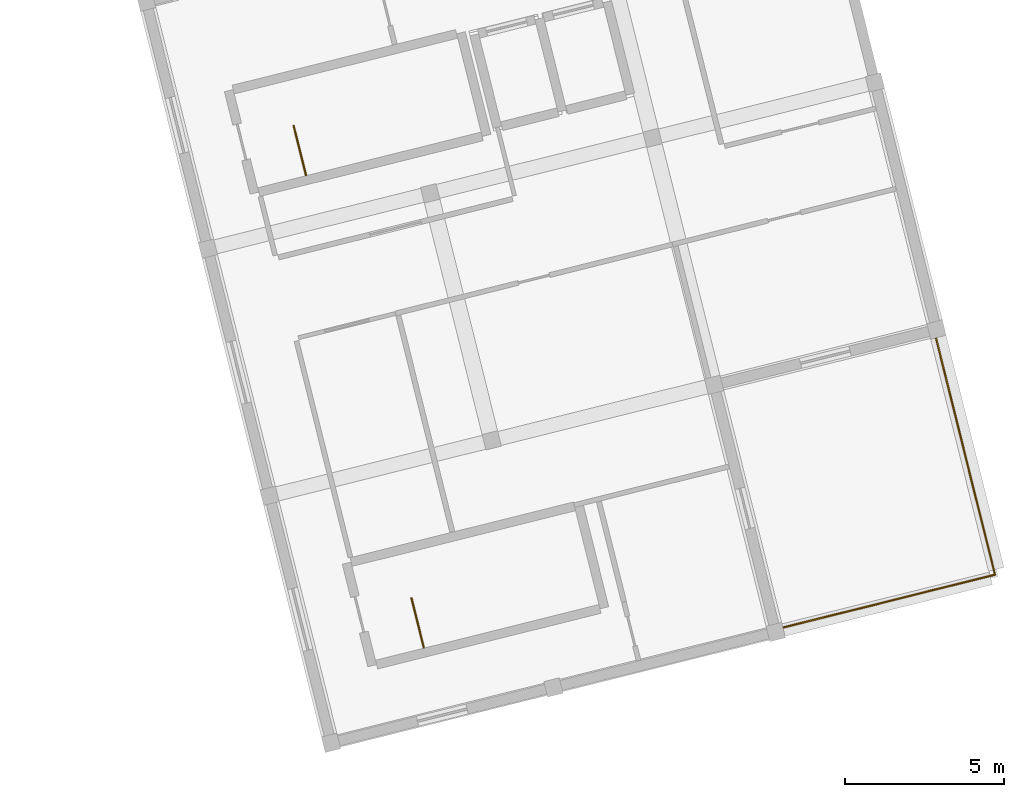
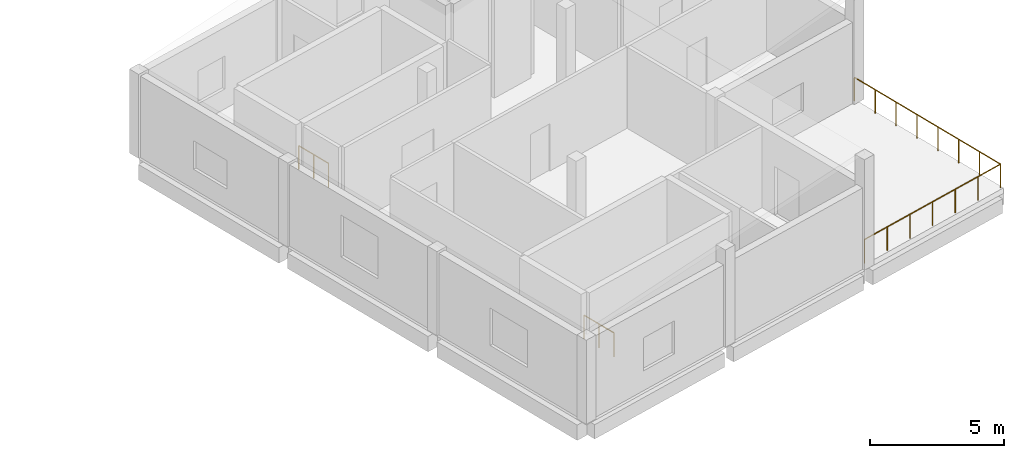
# One storey, part 4 of 4: 4 railings.
"""IFC4 building model written with IfcOpenShell, lengths in metres."""

from ifc_helpers import new_model, si_unit, direction, frame, origin, origin_2d, place, context, subcontext, project, spatial, circle, extrude, material, type_object, element, save


model = new_model("IFC4")

# Units and contexts
model_context = context("Model", 3, precision=1e-05, world=origin(), true_north=direction((0.0, 1.0)))
body_context = subcontext(model_context, "Body", "Model", "MODEL_VIEW")
ifc_project = project(units=[si_unit("LENGTHUNIT", "METRE"), si_unit("AREAUNIT", "SQUARE_METRE"), si_unit("VOLUMEUNIT", "CUBIC_METRE"), si_unit("PLANEANGLEUNIT", "RADIAN"), si_unit("MASSUNIT", "GRAM", prefix="KILO")], contexts=[model_context])

# Site, building, storey
site_placement = place(None, origin())
site = spatial("IfcSite", under=ifc_project, at=site_placement, CompositionType="ELEMENT")
building_placement = place(site_placement, origin())
building = spatial("IfcBuilding", under=site, at=building_placement, Name="Mawjan Specialist Oncology Clinic", CompositionType="ELEMENT")
storey_placement = place(building_placement, frame((0.0, 0.0, 25.5)))
storey = spatial("IfcBuildingStorey", under=building, at=storey_placement, Name="L06", CompositionType="ELEMENT", Elevation=25.5)

# Railings
ifc_material_1 = material(Name="Laminated glass and stainless-steel balustrade", Category="steel")
railing_type_1 = type_object("IfcRailingType", Name="BL-110", PredefinedType="BALUSTRADE", material=ifc_material_1)
railing_1_placement = place(storey_placement, frame((144.96484375, 13.69091796875, 0.0)))
element("IfcRailing", 1, at=railing_1_placement, inside=storey, type_object=railing_type_1, Name="L06 Terrace Edge Balustrade 15", PredefinedType="BALUSTRADE", context=body_context, shape_type="SweptSolid", body=[
    extrude(circle(Radius=0.02392578125, at=origin_2d()), frame((0.0, 0.0, 1.076171875), z_axis=(0.241898111731, -0.970301655951, 0.0), x_axis=(0.970301655951, 0.241898111731, 0.0)), (0.0, 0.0, 1.0), 7.840087890625),
    extrude(circle(Radius=0.02099609375, at=origin_2d()), origin(), (0.0, 0.0, 1.0), 1.052001953125),
    extrude(circle(Radius=0.02099609375, at=origin_2d()), frame((0.27099609375, -1.086669921875, 0.0)), (0.0, 0.0, 1.0), 1.052001953125),
    extrude(circle(Radius=0.02099609375, at=origin_2d()), frame((0.541748046875, -2.173583984375, 0.0)), (0.0, 0.0, 1.0), 1.052001953125),
    extrude(circle(Radius=0.02099609375, at=origin_2d()), frame((0.812744140625, -3.26025390625, 0.0)), (0.0, 0.0, 1.0), 1.052001953125),
    extrude(circle(Radius=0.02099609375, at=origin_2d()), frame((1.083740234375, -4.346923828125, 0.0)), (0.0, 0.0, 1.0), 1.052001953125),
    extrude(circle(Radius=0.02099609375, at=origin_2d()), frame((1.354736328125, -5.43359375, 0.0)), (0.0, 0.0, 1.0), 1.052001953125),
    extrude(circle(Radius=0.02099609375, at=origin_2d()), frame((1.62548828125, -6.5205078125, 0.0)), (0.0, 0.0, 1.0), 1.052001953125),
    extrude(circle(Radius=0.02099609375, at=origin_2d()), frame((1.896484375, -7.607177734375, 0.0)), (0.0, 0.0, 1.0), 1.052001953125),
])
railing_2_placement = place(storey_placement, frame((146.861328125, 6.083740234375, 0.0)))
element("IfcRailing", 2, at=railing_2_placement, inside=storey, type_object=railing_type_1, Name="L06 Terrace Edge Balustrade 16", PredefinedType="BALUSTRADE", context=body_context, shape_type="SweptSolid", body=[
    extrude(circle(Radius=0.02392578125, at=origin_2d()), frame((0.0, 0.0, 1.076171875), z_axis=(-0.970295304528, -0.241923587133, 0.0), x_axis=(0.241923587133, -0.970295304528, 0.0)), (0.0, 0.0, 1.0), 7.0400390625),
    extrude(circle(Radius=0.02099609375, at=origin_2d()), origin(), (0.0, 0.0, 1.0), 1.052001953125),
    extrude(circle(Radius=0.02099609375, at=origin_2d()), frame((-1.138427734375, -0.283935546875, 0.0)), (0.0, 0.0, 1.0), 1.052001953125),
    extrude(circle(Radius=0.02099609375, at=origin_2d()), frame((-2.27685546875, -0.567626953125, 0.0)), (0.0, 0.0, 1.0), 1.052001953125),
    extrude(circle(Radius=0.02099609375, at=origin_2d()), frame((-3.41552734375, -0.8515625, 0.0)), (0.0, 0.0, 1.0), 1.052001953125),
    extrude(circle(Radius=0.02099609375, at=origin_2d()), frame((-4.553955078125, -1.135498046875, 0.0)), (0.0, 0.0, 1.0), 1.052001953125),
    extrude(circle(Radius=0.02099609375, at=origin_2d()), frame((-5.6923828125, -1.419189453125, 0.0)), (0.0, 0.0, 1.0), 1.052001953125),
    extrude(circle(Radius=0.02099609375, at=origin_2d()), frame((-6.830810546875, -1.703125, 0.0)), (0.0, 0.0, 1.0), 1.052001953125),
])
ifc_material_2 = material(Name="Powder-coated steel stair guard with vertical infill pickets", Category="steel")
railing_type_2 = type_object("IfcRailingType", Name="GR-110", PredefinedType="GUARDRAIL", material=ifc_material_2)
for number, where, name in (
    (3, (125.2109375, 18.638916015625, 0.0), "L06 ST-05 top well guard 1"),
    (4, (128.912353515625, 3.79345703125, 0.0), "L06 ST-06 top well guard 1"),
):
    element("IfcRailing", number, at=place(storey_placement, frame(where)), inside=storey, type_object=railing_type_2, Name=name, PredefinedType="GUARDRAIL", context=body_context, shape_type="SweptSolid", body=[
        extrude(circle(Radius=0.02392578125, at=origin_2d()), frame((0.0, 0.0, 1.076171875), z_axis=(-0.241997058498, 0.970276982968, 0.0), x_axis=(-0.970276982968, -0.241997058498, 0.0)), (0.0, 0.0, 1.0), 1.60009765625),
        extrude(circle(Radius=0.02099609375, at=origin_2d()), origin(), (0.0, 0.0, 1.0), 1.052001953125),
        extrude(circle(Radius=0.02099609375, at=origin_2d()), frame((-0.193603515625, 0.7763671875, 0.0)), (0.0, 0.0, 1.0), 1.052001953125),
        extrude(circle(Radius=0.02099609375, at=origin_2d()), frame((-0.38720703125, 1.552490234375, 0.0)), (0.0, 0.0, 1.0), 1.052001953125),
    ])

save(model, "model.ifc")
